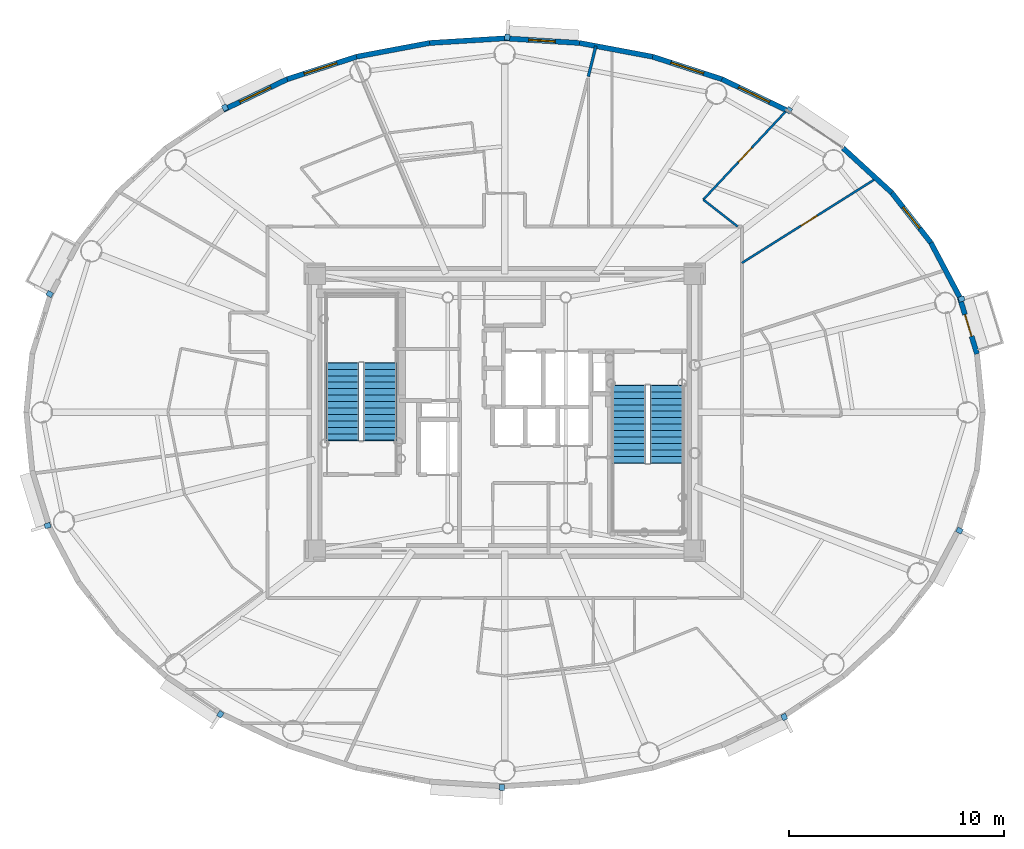
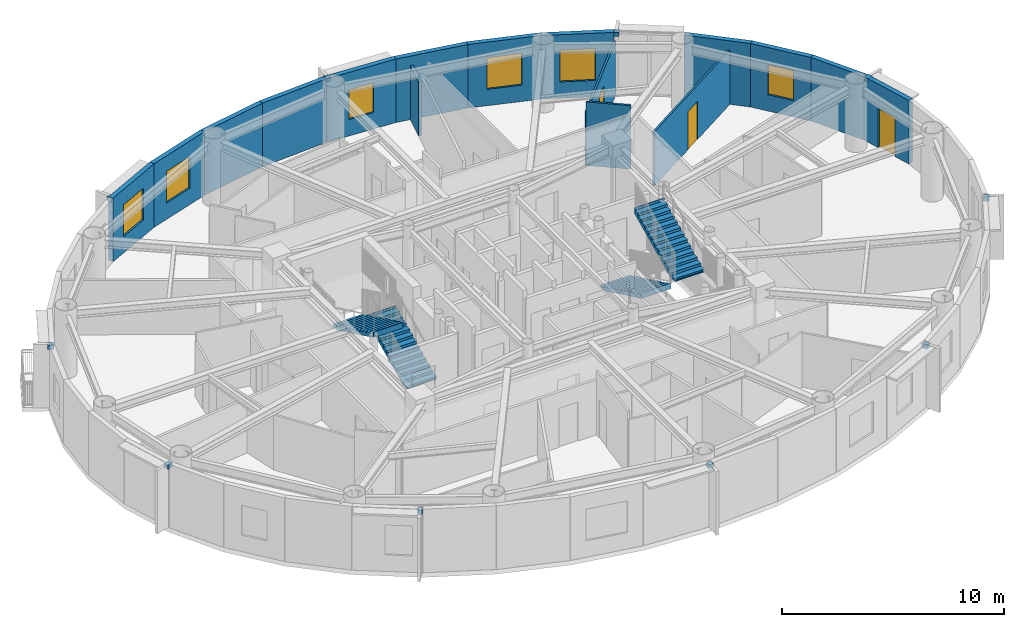
# One storey, part 9 of 17: 16 walls, 10 discrete accessories, 6 windows, 4 stair flights, 3 doors, 9 openings, 2 elements without a shape of their own.
"""IFC4 building model written with IfcOpenShell, lengths in metres."""

import ifcopenshell
import ifcopenshell.guid

model = None  # the IFC model being written
_history = None  # IfcOwnerHistory: only IFC2X3 demands one
_inside = {}  # id of a spatial element -> (the spatial element, [elements in it])
_under = {}  # id of a project, library or spatial element -> (it, [spatial elements below it])
_declared = {}  # id of a project -> (the project, [libraries it declares])
_typed = {}  # id of a type object -> (the type object, [elements of that type])
_made_of = {}  # id of a material, layer set ... -> (it, [elements and type objects made of it])


def new_model(schema):
    """Start an empty IFC model of exactly this schema.

    Asked for "IFC4X3", IfcOpenShell would pick the latest addendum, in which some entities
    have other attributes; the version numbers below select the first issue.
    IFC2X3 requires an IfcOwnerHistory on every rooted entity: one is made here for all.
    """
    global model, _history
    if schema == "IFC4X3":
        model = ifcopenshell.file(schema_version=(4, 3, 0, 0))
    else:
        model = ifcopenshell.file(schema=schema)
    _inside.clear()
    _under.clear()
    _declared.clear()
    _typed.clear()
    _made_of.clear()
    _history = None
    if model.schema == "IFC2X3":
        org = make("IfcOrganization", Name="unknown")
        user = make(
            "IfcPersonAndOrganization",
            ThePerson=make("IfcPerson", FamilyName="unknown"),
            TheOrganization=org,
        )
        app = make(
            "IfcApplication",
            ApplicationDeveloper=org,
            Version="unknown",
            ApplicationFullName="unknown",
            ApplicationIdentifier="unknown",
        )
        _history = make(
            "IfcOwnerHistory",
            OwningUser=user,
            OwningApplication=app,
            ChangeAction="ADDED",
            CreationDate=0,
        )
    return model


def make(cls, **values):
    """One entity of the class cls with the attributes given. An attribute that is None is left unset."""
    return model.create_entity(
        cls, **{name: value for name, value in values.items() if value is not None}
    )


def rooted(cls, **values):
    """An entity with a GlobalId (a new one), such as an element, a storey or a relation."""
    return make(cls, GlobalId=ifcopenshell.guid.new(), OwnerHistory=_history, **values)


def si_unit(unit_type, name, prefix=None):
    """IfcSIUnit, for example si_unit("LENGTHUNIT", "METRE", prefix="MILLI")."""
    return make("IfcSIUnit", UnitType=unit_type, Prefix=prefix, Name=name)


def assignment(units):
    """IfcUnitAssignment: the units of a project."""
    return None if units is None else make("IfcUnitAssignment", Units=units)


def point(xyz):
    """IfcCartesianPoint."""
    return None if xyz is None else make("IfcCartesianPoint", Coordinates=xyz)


def direction(xyz):
    """IfcDirection."""
    return None if xyz is None else make("IfcDirection", DirectionRatios=xyz)


def frame(location, z_axis=None, x_axis=None):
    """IfcAxis2Placement3D, a coordinate frame: its origin and axes. An axis left out is left unset."""
    return make(
        "IfcAxis2Placement3D",
        Location=point(location),
        Axis=direction(z_axis),
        RefDirection=direction(x_axis),
    )


def frame_2d(location, x_axis=None):
    """IfcAxis2Placement2D, a coordinate frame in the plane: its origin and x axis."""
    return make(
        "IfcAxis2Placement2D", Location=point(location), RefDirection=direction(x_axis)
    )


def origin():
    """The frame at (0, 0, 0) with its axes left unset."""
    return frame((0.0, 0.0, 0.0))


def origin_2d():
    """The frame at (0, 0) in the plane with its x axis left unset."""
    return frame_2d((0.0, 0.0))


def place(relative_to, where):
    """IfcLocalPlacement: puts the frame where relative to a parent placement (None: the world)."""
    return make(
        "IfcLocalPlacement", PlacementRelTo=relative_to, RelativePlacement=where
    )


def context(
    kind, dimensions, precision=None, world=None, true_north=None, identifier=None
):
    """IfcGeometricRepresentationContext, for example the 3D "Model" context."""
    return make(
        "IfcGeometricRepresentationContext",
        ContextIdentifier=identifier,
        ContextType=kind,
        CoordinateSpaceDimension=dimensions,
        Precision=precision,
        WorldCoordinateSystem=world,
        TrueNorth=true_north,
    )


def subcontext(parent, identifier, kind, view, scale=None):
    """IfcGeometricRepresentationSubContext, for example "Body" below "Model"."""
    return make(
        "IfcGeometricRepresentationSubContext",
        ContextIdentifier=identifier,
        ContextType=kind,
        ParentContext=parent,
        TargetScale=scale,
        TargetView=view,
    )


def project(units=None, contexts=None):
    """IfcProject with its units and contexts."""
    return rooted(
        "IfcProject",
        Name="project",
        RepresentationContexts=contexts,
        UnitsInContext=assignment(units),
    )


def spatial(cls, under=None, at=None, **own):
    """A site, building, storey or space (cls), placed at a placement, below another one or the project."""
    s = rooted(cls, ObjectPlacement=at, **own)
    if under is not None:
        _under.setdefault(under.id(), (under, []))[1].append(s)
    return s


def polyline(points):
    """IfcPolyline through the points."""
    return make("IfcPolyline", Points=[point(p) for p in points])


def profile(cls, at=None, kind="AREA", **sizes):
    """A parametric profile (cls). Its sizes go by their IFC names, for example OverallWidth=200.0."""
    return make(cls, ProfileType=kind, Position=at, **sizes)


def rectangle(**sizes):
    """IfcRectangleProfileDef."""
    return profile("IfcRectangleProfileDef", **sizes)


def outline(outer, holes=None, kind="AREA"):
    """IfcArbitraryClosedProfileDef: a profile drawn as a closed curve; with holes, ...WithVoids."""
    if holes is None:
        return make("IfcArbitraryClosedProfileDef", ProfileType=kind, OuterCurve=outer)
    return make(
        "IfcArbitraryProfileDefWithVoids",
        ProfileType=kind,
        OuterCurve=outer,
        InnerCurves=holes,
    )


def extrude(swept, where, along, depth):
    """IfcExtrudedAreaSolid: the profile swept, set in the frame where, extruded along a direction by depth."""
    return make(
        "IfcExtrudedAreaSolid",
        SweptArea=swept,
        Position=where,
        ExtrudedDirection=direction(along),
        Depth=depth,
    )


def shape(context_of_items, identifier, shape_type, items):
    """IfcShapeRepresentation: the items that make up one representation, for example the "Body"."""
    return make(
        "IfcShapeRepresentation",
        ContextOfItems=context_of_items,
        RepresentationIdentifier=identifier,
        RepresentationType=shape_type,
        Items=items,
    )


def source(mapping_origin, context_of_items, identifier, shape_type, items):
    """IfcRepresentationMap: a shape defined once, which mapped items show again and again."""
    return make(
        "IfcRepresentationMap",
        MappingOrigin=mapping_origin,
        MappedRepresentation=shape(context_of_items, identifier, shape_type, items),
    )


def transform(
    local_origin,
    x_axis=None,
    y_axis=None,
    z_axis=None,
    scale=None,
    scale2=None,
    scale3=None,
    uniform=True,
):
    """IfcCartesianTransformationOperator3D, or its non-uniform kind. x_axis, y_axis, z_axis: its Axis1, 2, 3."""
    if uniform:
        return make(
            "IfcCartesianTransformationOperator3D",
            Axis1=direction(x_axis),
            Axis2=direction(y_axis),
            LocalOrigin=point(local_origin),
            Scale=scale,
            Axis3=direction(z_axis),
        )
    return make(
        "IfcCartesianTransformationOperator3DnonUniform",
        Axis1=direction(x_axis),
        Axis2=direction(y_axis),
        LocalOrigin=point(local_origin),
        Scale=scale,
        Axis3=direction(z_axis),
        Scale2=scale2,
        Scale3=scale3,
    )


def mapped(mapping_source, mapping_target):
    """IfcMappedItem: shows the shape of a source again, moved by a transform."""
    return make(
        "IfcMappedItem", MappingSource=mapping_source, MappingTarget=mapping_target
    )


def material(Name=None, Category=None):
    """IfcMaterial."""
    return make("IfcMaterial", Name=Name, Category=Category)


def layer(
    of_material, thickness, ventilated=None, Name=None, Category=None, Priority=None
):
    """IfcMaterialLayer: one layer of a wall or slab, of a material (None: an air gap)."""
    return make(
        "IfcMaterialLayer",
        Material=of_material,
        LayerThickness=thickness,
        IsVentilated=ventilated,
        Name=Name,
        Category=Category,
        Priority=Priority,
    )


def layer_set(layers, Name=None):
    """IfcMaterialLayerSet."""
    return make("IfcMaterialLayerSet", MaterialLayers=layers, LayerSetName=Name)


def made_of(thing, what):
    """Note that an element or type object is made of a material, layer set ...; save() writes the relation."""
    if what is not None:
        _made_of.setdefault(what.id(), (what, []))[1].append(thing)
    return thing


def type_object(cls, material=None, **own):
    """A type object (cls), such as IfcWallType, which elements share."""
    return made_of(rooted(cls, **own), material)


def element(
    cls,
    number,
    at=None,
    inside=None,
    cuts=None,
    type_object=None,
    material=None,
    context=None,
    identifier="Body",
    shape_type=None,
    held_by="IfcProductDefinitionShape",
    body=None,
    shapes=None,
    **own,
):
    """One element of the class cls, such as IfcWall. Its Tag is "e" and its number.

    at: its placement. inside: the storey or other place that contains it. cuts: it is an
    opening in that element (IfcRelVoidsElement). A single representation is given by context,
    identifier, shape_type and body (its items); several are given by shapes. held_by: the class
    of the entity that holds the representations. save() writes the other relations.
    """
    e = rooted(cls, Tag="e%d" % number, ObjectPlacement=at, **own)
    if body is not None:
        shapes = [shape(context, identifier, shape_type, body)]
    if shapes is not None:
        e.Representation = make(held_by, Representations=shapes)
    if inside is not None:
        _inside.setdefault(inside.id(), (inside, []))[1].append(e)
    if cuts is not None:
        rooted(
            "IfcRelVoidsElement", RelatingBuildingElement=cuts, RelatedOpeningElement=e
        )
    if type_object is not None:
        _typed.setdefault(type_object.id(), (type_object, []))[1].append(e)
    return made_of(e, material)


def fill(opening, filler):
    """IfcRelFillsElement: the door or window that sits in an opening."""
    return rooted(
        "IfcRelFillsElement",
        RelatingOpeningElement=opening,
        RelatedBuildingElement=filler,
    )


def aggregate(whole, parts):
    """IfcRelAggregates: a whole, such as a stair, and the parts it consists of."""
    return rooted("IfcRelAggregates", RelatingObject=whole, RelatedObjects=parts)


def save(model, path):
    """Write the relations noted so far, then the file.

    IfcRelAggregates (storeys below a building ...), IfcRelContainedInSpatialStructure (elements
    in a storey), IfcRelDefinesByType, IfcRelAssociatesMaterial and IfcRelDeclares: one each for
    every whole, place, type object, material and project.
    """
    for whole, parts in _under.values():
        aggregate(whole, parts)
    for where, things in _inside.values():
        rooted(
            "IfcRelContainedInSpatialStructure",
            RelatedElements=things,
            RelatingStructure=where,
        )
    for kind, things in _typed.values():
        rooted("IfcRelDefinesByType", RelatedObjects=things, RelatingType=kind)
    for what, things in _made_of.values():
        rooted("IfcRelAssociatesMaterial", RelatedObjects=things, RelatingMaterial=what)
    for by, libraries in _declared.values():
        rooted("IfcRelDeclares", RelatingContext=by, RelatedDefinitions=libraries)
    model.write(path)


model = new_model("IFC4")

# Units and contexts
model_context = context("Model", 3, precision=1e-05, world=origin(), true_north=direction((0.0, 1.0)))
body_context = subcontext(model_context, "Body", "Model", "MODEL_VIEW")
ifc_project = project(units=[si_unit("LENGTHUNIT", "METRE"), si_unit("AREAUNIT", "SQUARE_METRE"), si_unit("VOLUMEUNIT", "CUBIC_METRE"), si_unit("PLANEANGLEUNIT", "RADIAN"), si_unit("MASSUNIT", "GRAM", prefix="KILO")], contexts=[model_context])

# Site, building, storey
site_placement = place(None, origin())
site = spatial("IfcSite", under=ifc_project, at=site_placement, CompositionType="ELEMENT")
building_placement = place(site_placement, origin())
building = spatial("IfcBuilding", under=site, at=building_placement, Name="Linh Dai School and Residence Tower", CompositionType="ELEMENT")
storey_placement = place(building_placement, frame((0.0, 0.0, 303.0)))
storey = spatial("IfcBuildingStorey", under=building, at=storey_placement, Name="L75", CompositionType="ELEMENT", Elevation=303.0)

# Wall, opening, door
ifc_material_1 = material(Name="Precast Concrete B45 (C35/45)", Category="concrete")
ifc_layer_1 = layer(ifc_material_1, 0.239990234375)
ifc_layer_set_1 = layer_set([ifc_layer_1], Name="Precast Concrete B45 (C35/45)")
wall_type_1 = type_object("IfcWallType", Name="EW-TC-240", PredefinedType="SOLIDWALL", material=ifc_layer_set_1)
wall_1_placement = place(storey_placement, frame((57.188232421875, 32.372314453125, 0.0), z_axis=(0.0, 0.0, 1.0), x_axis=(0.2931213403, -0.956075248012, 0.0)))
wall_1 = element("IfcWall", 1, at=wall_1_placement, inside=storey, type_object=wall_type_1, Name="L75 Terracotta Exterior Wall 02", PredefinedType="SOLIDWALL", context=body_context, shape_type="SweptSolid", body=[
    extrude(rectangle(XDim=2.775146484375, YDim=0.239990234375, at=frame_2d((1.3876953125, 0.0))), origin(), (0.0, 0.0, 1.0), 3.5),
])
opening_1_placement = place(wall_1_placement, frame((0.862548828125, 0.0, 0.0)))
opening_1 = element("IfcOpeningElement", 2, at=opening_1_placement, cuts=wall_1, Name="Opening BD1", PredefinedType="OPENING", context=body_context, shape_type="SweptSolid", body=[
    extrude(rectangle(XDim=1.050048828125, YDim=2.14990234375, at=origin_2d()), frame((0.52490234375, 0.1298828125, 1.074951171875), z_axis=(0.0, -1.0, 0.0), x_axis=(1.0, 0.0, 0.0)), (0.0, 0.0, 1.0), 0.260009765625),
])
ifc_material_2 = material(Name="Double-Glazed Balcony Door", Category="glass")
door_type_1 = type_object("IfcDoorType", Name="DR-BALC-1050x2150", OperationType="NOTDEFINED", PredefinedType="DOOR", material=ifc_material_2)
shared_shape_1 = source(origin(), body_context, "Body", "SweptSolid", [
    extrude(rectangle(XDim=1.050048828125, YDim=2.14990234375, at=origin_2d()), frame((0.52490234375, 0.02490234375, 1.074951171875), z_axis=(0.0, -1.0, 0.0), x_axis=(1.0, 0.0, 0.0)), (0.0, 0.0, 1.0), 0.050048828125),
])
door_1_placement = place(opening_1_placement, origin())
door_1 = element("IfcDoor", 3, at=door_1_placement, inside=storey, type_object=door_type_1, Name="L75 Glazed Balcony Door 02", OperationType="SINGLE_SWING_LEFT", OverallHeight=2.14990234375, OverallWidth=1.050048828125, PredefinedType="DOOR", context=body_context, shape_type="MappedRepresentation", body=[
    mapped(shared_shape_1, transform((0.0, 0.0, 0.0), x_axis=(1.0, 0.0, 0.0), y_axis=(0.0, 1.0, 0.0), z_axis=(0.0, 0.0, 1.0), scale=1.0)),
])
fill(opening_1, door_1)

# Wall
wall_2_placement = place(storey_placement, frame((55.853759765625, 34.894775390625, 0.0), z_axis=(0.0, 0.0, 1.0), x_axis=(0.467628269026, -0.883925224218, 0.0)))
element("IfcWall", 4, at=wall_2_placement, inside=storey, type_object=wall_type_1, Name="L75 Terracotta Exterior Wall 03", PredefinedType="SOLIDWALL", context=body_context, shape_type="SweptSolid", body=[
    extrude(rectangle(XDim=2.853759765625, YDim=0.239990234375, at=frame_2d((1.4267578125, 0.0))), origin(), (0.0, 0.0, 1.0), 3.5),
])

# Wall, opening, window
wall_3_placement = place(storey_placement, frame((54.0302734375, 37.224609375, 0.0), z_axis=(0.0, 0.0, 1.0), x_axis=(0.616337186556, -0.787482363275, 0.0)))
wall_3 = element("IfcWall", 5, at=wall_3_placement, inside=storey, type_object=wall_type_1, Name="L75 Terracotta Exterior Wall 04", PredefinedType="SOLIDWALL", context=body_context, shape_type="SweptSolid", body=[
    extrude(rectangle(XDim=2.95849609375, YDim=0.239990234375, at=frame_2d((1.479248046875, 0.0))), origin(), (0.0, 0.0, 1.0), 3.5),
])
opening_2_placement = place(wall_3_placement, frame((0.85400390625, 0.0, 0.89990234375)))
opening_2 = element("IfcOpeningElement", 6, at=opening_2_placement, cuts=wall_3, Name="Opening W3", PredefinedType="OPENING", context=body_context, shape_type="SweptSolid", body=[
    extrude(rectangle(XDim=1.25, YDim=1.64990234375, at=origin_2d()), frame((0.625, 0.1298828125, 0.824951171875), z_axis=(0.0, -1.0, 0.0), x_axis=(1.0, 0.0, 0.0)), (0.0, 0.0, 1.0), 0.260009765625),
])
ifc_material_3 = material(Name="Double Low-E Insulated Glazing", Category="glass")
window_type_1 = type_object("IfcWindowType", Name="WN-RES-1250x1650", PartitioningType="SINGLE_PANEL", PredefinedType="WINDOW", material=ifc_material_3)
shared_shape_2 = source(origin(), body_context, "Body", "SweptSolid", [
    extrude(rectangle(XDim=1.25, YDim=1.64990234375, at=origin_2d()), frame((0.625, 0.030029296875, 0.824951171875), z_axis=(0.0, -1.0, 0.0), x_axis=(1.0, 0.0, 0.0)), (0.0, 0.0, 1.0), 0.06005859375),
])
window_1_placement = place(opening_2_placement, origin())
window_1 = element("IfcWindow", 7, at=window_1_placement, inside=storey, type_object=window_type_1, Name="L75 Exterior Window 04.1", OverallHeight=1.64990234375, OverallWidth=1.25, PartitioningType="SINGLE_PANEL", PredefinedType="WINDOW", context=body_context, shape_type="MappedRepresentation", body=[
    mapped(shared_shape_2, transform((0.0, 0.0, 0.0), x_axis=(1.0, 0.0, 0.0), y_axis=(0.0, 1.0, 0.0), z_axis=(0.0, 0.0, 1.0), scale=1.0)),
])
fill(opening_2, window_1)

# Wall
wall_4_placement = place(storey_placement, frame((51.76220703125, 39.30419921875, 0.0), z_axis=(0.0, 0.0, 1.0), x_axis=(0.737068506972, -0.675818034703, 0.0)))
element("IfcWall", 8, at=wall_4_placement, inside=storey, type_object=wall_type_1, Name="L75 Terracotta Exterior Wall 05", PredefinedType="SOLIDWALL", context=body_context, shape_type="SweptSolid", body=[
    extrude(rectangle(XDim=3.0771484375, YDim=0.239990234375, at=frame_2d((1.53857421875, 0.0))), origin(), (0.0, 0.0, 1.0), 3.5),
])

# Wall, opening, window
wall_5_placement = place(storey_placement, frame((46.123046875, 42.51220703125, 0.0), z_axis=(0.0, 0.0, 1.0), x_axis=(0.901573741254, -0.43262546051, 0.0)))
wall_5 = element("IfcWall", 9, at=wall_5_placement, inside=storey, type_object=wall_type_1, Name="L75 Terracotta Exterior Wall 07", PredefinedType="SOLIDWALL", context=body_context, shape_type="SweptSolid", body=[
    extrude(rectangle(XDim=3.306884765625, YDim=0.239990234375, at=frame_2d((1.6533203125, 0.0))), origin(), (0.0, 0.0, 1.0), 3.5),
])
opening_3_placement = place(wall_5_placement, frame((0.8583984375, 0.0, 0.89990234375)))
opening_3 = element("IfcOpeningElement", 10, at=opening_3_placement, cuts=wall_5, Name="Opening W2", PredefinedType="OPENING", context=body_context, shape_type="SweptSolid", body=[
    extrude(rectangle(XDim=1.60009765625, YDim=1.75, at=origin_2d()), frame((0.800048828125, 0.1298828125, 0.875), z_axis=(0.0, -1.0, 0.0), x_axis=(1.0, 0.0, 0.0)), (0.0, 0.0, 1.0), 0.260009765625),
])
window_type_2 = type_object("IfcWindowType", Name="WN-RES-1600x1750", PartitioningType="DOUBLE_PANEL_VERTICAL", PredefinedType="WINDOW", material=ifc_material_3)
shared_shape_3 = source(origin(), body_context, "Body", "SweptSolid", [
    extrude(rectangle(XDim=1.60009765625, YDim=1.75, at=origin_2d()), frame((0.800048828125, 0.030029296875, 0.875), z_axis=(0.0, -1.0, 0.0), x_axis=(1.0, 0.0, 0.0)), (0.0, 0.0, 1.0), 0.06005859375),
])
window_2_placement = place(opening_3_placement, origin())
window_2 = element("IfcWindow", 11, at=window_2_placement, inside=storey, type_object=window_type_2, Name="L75 Exterior Window 07.1", OverallHeight=1.75, OverallWidth=1.60009765625, PartitioningType="DOUBLE_PANEL_VERTICAL", PredefinedType="WINDOW", context=body_context, shape_type="MappedRepresentation", body=[
    mapped(shared_shape_3, transform((0.0, 0.0, 0.0), x_axis=(1.0, 0.0, 0.0), y_axis=(0.0, 1.0, 0.0), z_axis=(0.0, 0.0, 1.0), scale=1.0)),
])
fill(opening_3, window_2)

wall_6_placement = place(storey_placement, frame((42.89111328125, 43.560302734375, 0.0), z_axis=(0.0, 0.0, 1.0), x_axis=(0.95123136723, -0.308478339592, 0.0)))
wall_6 = element("IfcWall", 12, at=wall_6_placement, inside=storey, type_object=wall_type_1, Name="L75 Terracotta Exterior Wall 08", PredefinedType="SOLIDWALL", context=body_context, shape_type="SweptSolid", body=[
    extrude(rectangle(XDim=3.397705078125, YDim=0.239990234375, at=frame_2d((1.69873046875, 0.0))), origin(), (0.0, 0.0, 1.0), 3.5),
])
opening_4_placement = place(wall_6_placement, frame((0.898681640625, 0.0, 0.89990234375)))
opening_4 = element("IfcOpeningElement", 13, at=opening_4_placement, cuts=wall_6, Name="Opening W2", PredefinedType="OPENING", context=body_context, shape_type="SweptSolid", body=[
    extrude(rectangle(XDim=1.60009765625, YDim=1.75, at=origin_2d()), frame((0.800048828125, 0.1298828125, 0.875), z_axis=(0.0, -1.0, 0.0), x_axis=(1.0, 0.0, 0.0)), (0.0, 0.0, 1.0), 0.260009765625),
])
window_3_placement = place(opening_4_placement, origin())
window_3 = element("IfcWindow", 14, at=window_3_placement, inside=storey, type_object=window_type_2, Name="L75 Exterior Window 08.1", OverallHeight=1.75, OverallWidth=1.60009765625, PartitioningType="DOUBLE_PANEL_VERTICAL", PredefinedType="WINDOW", context=body_context, shape_type="MappedRepresentation", body=[
    mapped(shared_shape_3, transform((0.0, 0.0, 0.0), x_axis=(1.0, 0.0, 0.0), y_axis=(0.0, 1.0, 0.0), z_axis=(0.0, 0.0, 1.0), scale=1.0)),
])
fill(opening_4, window_3)

# Wall
wall_7_placement = place(storey_placement, frame((39.48876953125, 44.199951171875, 0.0), z_axis=(0.0, 0.0, 1.0), x_axis=(0.982782655757, -0.184765395959, 0.0)))
element("IfcWall", 15, at=wall_7_placement, inside=storey, type_object=wall_type_1, Name="L75 Terracotta Exterior Wall 09", PredefinedType="SOLIDWALL", context=body_context, shape_type="SweptSolid", body=[
    extrude(rectangle(XDim=3.4619140625, YDim=0.239990234375, at=frame_2d((1.73095703125, 0.0))), origin(), (0.0, 0.0, 1.0), 3.5),
])

# Wall, opening, window
wall_8_placement = place(storey_placement, frame((36.0, 44.4150390625, 0.0), z_axis=(0.0, 0.0, 1.0), x_axis=(0.998104946479, -0.061534671648, 0.0)))
wall_8 = element("IfcWall", 16, at=wall_8_placement, inside=storey, type_object=wall_type_1, Name="L75 Terracotta Exterior Wall 10", PredefinedType="SOLIDWALL", context=body_context, shape_type="SweptSolid", body=[
    extrude(rectangle(XDim=3.495361328125, YDim=0.239990234375, at=frame_2d((1.74755859375, 0.0))), origin(), (0.0, 0.0, 1.0), 3.5),
])
opening_5_placement = place(wall_8_placement, frame((1.122802734375, 0.0, 0.89990234375)))
opening_5 = element("IfcOpeningElement", 17, at=opening_5_placement, cuts=wall_8, Name="Opening W3", PredefinedType="OPENING", context=body_context, shape_type="SweptSolid", body=[
    extrude(rectangle(XDim=1.25, YDim=1.64990234375, at=origin_2d()), frame((0.625, 0.1298828125, 0.824951171875), z_axis=(0.0, -1.0, 0.0), x_axis=(1.0, 0.0, 0.0)), (0.0, 0.0, 1.0), 0.260009765625),
])
window_4_placement = place(opening_5_placement, origin())
window_4 = element("IfcWindow", 18, at=window_4_placement, inside=storey, type_object=window_type_1, Name="L75 Dwelling Window U7501-LIV", OverallHeight=1.64990234375, OverallWidth=1.25, PartitioningType="SINGLE_PANEL", PredefinedType="WINDOW", context=body_context, shape_type="MappedRepresentation", body=[
    mapped(shared_shape_2, transform((0.0, 0.0, 0.0), x_axis=(1.0, 0.0, 0.0), y_axis=(0.0, 1.0, 0.0), z_axis=(0.0, 0.0, 1.0), scale=1.0)),
])
fill(opening_5, window_4)

# Walls
wall_9_placement = place(storey_placement, frame((32.51123046875, 44.199951171875, 0.0), z_axis=(0.0, 0.0, 1.0), x_axis=(0.998104946479, 0.061534671648, 0.0)))
element("IfcWall", 19, at=wall_9_placement, inside=storey, type_object=wall_type_1, Name="L75 Terracotta Exterior Wall 11", PredefinedType="SOLIDWALL", context=body_context, shape_type="SweptSolid", body=[
    extrude(rectangle(XDim=3.495361328125, YDim=0.239990234375, at=frame_2d((1.74755859375, 0.0))), origin(), (0.0, 0.0, 1.0), 3.5),
])
wall_10_placement = place(storey_placement, frame((29.10888671875, 43.560302734375, 0.0), z_axis=(0.0, 0.0, 1.0), x_axis=(0.982782655757, 0.184765395959, 0.0)))
element("IfcWall", 20, at=wall_10_placement, inside=storey, type_object=wall_type_1, Name="L75 Terracotta Exterior Wall 12", PredefinedType="SOLIDWALL", context=body_context, shape_type="SweptSolid", body=[
    extrude(rectangle(XDim=3.4619140625, YDim=0.239990234375, at=frame_2d((1.73095703125, 0.0))), origin(), (0.0, 0.0, 1.0), 3.5),
])

# Wall, opening, window
wall_11_placement = place(storey_placement, frame((25.876953125, 42.51220703125, 0.0), z_axis=(0.0, 0.0, 1.0), x_axis=(0.95123136723, 0.308478339592, 0.0)))
wall_11 = element("IfcWall", 21, at=wall_11_placement, inside=storey, type_object=wall_type_1, Name="L75 Terracotta Exterior Wall 13", PredefinedType="SOLIDWALL", context=body_context, shape_type="SweptSolid", body=[
    extrude(rectangle(XDim=3.397705078125, YDim=0.239990234375, at=frame_2d((1.69873046875, 0.0))), origin(), (0.0, 0.0, 1.0), 3.5),
])
opening_6_placement = place(wall_11_placement, frame((0.82421875, 0.0, 0.89990234375)))
opening_6 = element("IfcOpeningElement", 22, at=opening_6_placement, cuts=wall_11, Name="Opening W2", PredefinedType="OPENING", context=body_context, shape_type="SweptSolid", body=[
    extrude(rectangle(XDim=1.60009765625, YDim=1.75, at=origin_2d()), frame((0.800048828125, 0.1298828125, 0.875), z_axis=(0.0, -1.0, 0.0), x_axis=(1.0, 0.0, 0.0)), (0.0, 0.0, 1.0), 0.260009765625),
])
window_5_placement = place(opening_6_placement, origin())
window_5 = element("IfcWindow", 23, at=window_5_placement, inside=storey, type_object=window_type_2, Name="L75 Exterior Window 13.1", OverallHeight=1.75, OverallWidth=1.60009765625, PartitioningType="DOUBLE_PANEL_VERTICAL", PredefinedType="WINDOW", context=body_context, shape_type="MappedRepresentation", body=[
    mapped(shared_shape_3, transform((0.0, 0.0, 0.0), x_axis=(1.0, 0.0, 0.0), y_axis=(0.0, 1.0, 0.0), z_axis=(0.0, 0.0, 1.0), scale=1.0)),
])
fill(opening_6, window_5)

wall_12_placement = place(storey_placement, frame((22.8955078125, 41.08154296875, 0.0), z_axis=(0.0, 0.0, 1.0), x_axis=(0.901573741254, 0.43262546051, 0.0)))
wall_12 = element("IfcWall", 24, at=wall_12_placement, inside=storey, type_object=wall_type_1, Name="L75 Terracotta Exterior Wall 14", PredefinedType="SOLIDWALL", context=body_context, shape_type="SweptSolid", body=[
    extrude(rectangle(XDim=3.306884765625, YDim=0.239990234375, at=frame_2d((1.6533203125, 0.0))), origin(), (0.0, 0.0, 1.0), 3.5),
])
opening_7_placement = place(wall_12_placement, frame((0.853515625, 0.0, 0.89990234375)))
opening_7 = element("IfcOpeningElement", 25, at=opening_7_placement, cuts=wall_12, Name="Opening W2", PredefinedType="OPENING", context=body_context, shape_type="SweptSolid", body=[
    extrude(rectangle(XDim=1.60009765625, YDim=1.75, at=origin_2d()), frame((0.800048828125, 0.1298828125, 0.875), z_axis=(0.0, -1.0, 0.0), x_axis=(1.0, 0.0, 0.0)), (0.0, 0.0, 1.0), 0.260009765625),
])
window_6_placement = place(opening_7_placement, origin())
window_6 = element("IfcWindow", 26, at=window_6_placement, inside=storey, type_object=window_type_2, Name="L75 Exterior Window 14.1", OverallHeight=1.75, OverallWidth=1.60009765625, PartitioningType="DOUBLE_PANEL_VERTICAL", PredefinedType="WINDOW", context=body_context, shape_type="MappedRepresentation", body=[
    mapped(shared_shape_3, transform((0.0, 0.0, 0.0), x_axis=(1.0, 0.0, 0.0), y_axis=(0.0, 1.0, 0.0), z_axis=(0.0, 0.0, 1.0), scale=1.0)),
])
fill(opening_7, window_6)

# Walls
ifc_material_4 = material(Name="Autoclaved Aerated Concrete Blockwork", Category="masonry")
ifc_layer_2 = layer(ifc_material_4, 0.135009765625)
ifc_layer_set_2 = layer_set([ifc_layer_2], Name="Autoclaved Aerated Concrete Blockwork")
wall_type_2 = type_object("IfcWallType", Name="IW-CORR-135-EI90", PredefinedType="PARTITIONING", material=ifc_layer_set_2)
wall_13_placement = place(storey_placement, frame((39.89990234375, 42.641845703125, 0.0), z_axis=(0.0, 0.0, 1.0), x_axis=(0.241985841386, 0.970279780563, 0.0)))
element("IfcWall", 27, at=wall_13_placement, inside=storey, type_object=wall_type_2, Name="L75 Interior Partition Wall 071", PredefinedType="PARTITIONING", context=body_context, shape_type="SweptSolid", body=[
    extrude(rectangle(XDim=1.462890625, YDim=0.135009765625, at=frame_2d((0.7314453125, 0.0))), origin(), (0.0, 0.0, 1.0), 2.985107421875),
])
ifc_material_5 = material(Name="Gypsum Plasterboard Acoustic Stud Partition", Category="masonry")
ifc_layer_3 = layer(ifc_material_5, 0.10009765625)
ifc_layer_set_3 = layer_set([ifc_layer_3], Name="Gypsum Plasterboard Acoustic Stud Partition")
wall_type_3 = type_object("IfcWallType", Name="IW-UNIT-100", PredefinedType="PARTITIONING", material=ifc_layer_set_3)
wall_14_placement = place(storey_placement, frame((45.254150390625, 36.903564453125, 0.0), z_axis=(0.0, 0.0, 1.0), x_axis=(0.787350433025, -0.616505714179, 0.0)))
element("IfcWall", 28, at=wall_14_placement, inside=storey, type_object=wall_type_3, Name="L75 Interior Partition Wall 081", PredefinedType="PARTITIONING", context=body_context, shape_type="SweptSolid", body=[
    extrude(rectangle(XDim=2.033447265625, YDim=0.10009765625, at=frame_2d((1.0166015625, 0.0))), origin(), (0.0, 0.0, 1.0), 3.5),
])

# Wall, opening, door
wall_15_placement = place(storey_placement, frame((45.254150390625, 36.903564453125, 0.0), z_axis=(0.0, 0.0, 1.0), x_axis=(0.682727638106, 0.73067295842, 0.0)))
wall_15 = element("IfcWall", 29, at=wall_15_placement, inside=storey, type_object=wall_type_3, Name="L75 Interior Partition Wall 082", PredefinedType="PARTITIONING", context=body_context, shape_type="SweptSolid", body=[
    extrude(rectangle(XDim=5.69287109375, YDim=0.10009765625, at=frame_2d((2.846435546875, 0.0))), origin(), (0.0, 0.0, 1.0), 2.985107421875),
])
opening_8_placement = place(wall_15_placement, frame((2.396484375, 0.0, 0.0)))
opening_8 = element("IfcOpeningElement", 30, at=opening_8_placement, cuts=wall_15, Name="Opening D05", PredefinedType="OPENING", context=body_context, shape_type="SweptSolid", body=[
    extrude(rectangle(XDim=0.89990234375, YDim=2.10009765625, at=origin_2d()), frame((0.449951171875, 0.06005859375, 1.050048828125), z_axis=(0.0, -1.0, 0.0), x_axis=(1.0, 0.0, 0.0)), (0.0, 0.0, 1.0), 0.1201171875),
])
ifc_material_6 = material(Name="Engineered Timber Internal Door", Category="wood")
door_type_2 = type_object("IfcDoorType", Name="DR-INT-900x2100", OperationType="NOTDEFINED", PredefinedType="DOOR", material=ifc_material_6)
shared_shape_4 = source(origin(), body_context, "Body", "SweptSolid", [
    extrude(rectangle(XDim=0.89990234375, YDim=2.10009765625, at=origin_2d()), frame((0.449951171875, 0.02490234375, 1.050048828125), z_axis=(0.0, -1.0, 0.0), x_axis=(1.0, 0.0, 0.0)), (0.0, 0.0, 1.0), 0.050048828125),
])
door_2_placement = place(opening_8_placement, origin())
door_2 = element("IfcDoor", 31, at=door_2_placement, inside=storey, type_object=door_type_2, Name="L75 Apartment U7508 Study Door", OperationType="SINGLE_SWING_LEFT", OverallHeight=2.10009765625, OverallWidth=0.89990234375, PredefinedType="DOOR", context=body_context, shape_type="MappedRepresentation", body=[
    mapped(shared_shape_4, transform((0.0, 0.0, 0.0), x_axis=(1.0, 0.0, 0.0), y_axis=(0.0, 1.0, 0.0), z_axis=(0.0, 0.0, 1.0), scale=1.0)),
])
fill(opening_8, door_2)

wall_16_placement = place(storey_placement, frame((47.050048828125, 33.9541015625, 0.0), z_axis=(0.0, 0.0, 1.0), x_axis=(0.846339777122, 0.532643390704, 0.0)))
wall_16 = element("IfcWall", 32, at=wall_16_placement, inside=storey, type_object=wall_type_3, Name="L75 Interior Partition Wall 087", PredefinedType="PARTITIONING", context=body_context, shape_type="SweptSolid", body=[
    extrude(rectangle(XDim=7.39501953125, YDim=0.10009765625, at=frame_2d((3.697509765625, 0.0))), origin(), (0.0, 0.0, 1.0), 2.985107421875),
])
opening_9_placement = place(wall_16_placement, frame((3.24755859375, 0.0, 0.0)))
opening_9 = element("IfcOpeningElement", 33, at=opening_9_placement, cuts=wall_16, Name="Opening D05", PredefinedType="OPENING", context=body_context, shape_type="SweptSolid", body=[
    extrude(rectangle(XDim=0.89990234375, YDim=2.10009765625, at=origin_2d()), frame((0.449951171875, 0.06005859375, 1.050048828125), z_axis=(0.0, -1.0, 0.0), x_axis=(1.0, 0.0, 0.0)), (0.0, 0.0, 1.0), 0.1201171875),
])
door_3_placement = place(opening_9_placement, origin())
door_3 = element("IfcDoor", 34, at=door_3_placement, inside=storey, type_object=door_type_2, Name="L75 Apartment U7508 Principal Bedroom 1 Door", OperationType="SINGLE_SWING_LEFT", OverallHeight=2.10009765625, OverallWidth=0.89990234375, PredefinedType="DOOR", context=body_context, shape_type="MappedRepresentation", body=[
    mapped(shared_shape_4, transform((0.0, 0.0, 0.0), x_axis=(1.0, 0.0, 0.0), y_axis=(0.0, 1.0, 0.0), z_axis=(0.0, 0.0, 1.0), scale=1.0)),
])
fill(opening_9, door_3)

# Stair, stair flights
ifc_material_7 = material(Name="Concrete B45 (C35/45)", Category="concrete")
stair_type = type_object("IfcStairType", Name="ST-DOG-1550-R1442", PredefinedType="HALF_TURN_STAIR", material=ifc_material_7)
stair_1_placement = place(storey_placement, origin())
stair_1 = element("IfcStair", 35, at=stair_1_placement, inside=storey, type_object=stair_type, Name="L75 Core Smokeproof Exit Stair ST1", PredefinedType="HALF_TURN_STAIR")
stair_flight_type = type_object("IfcStairFlightType", Name="STF-STR-1550-R1442", PredefinedType="STRAIGHT", material=ifc_material_7)
shared_shape_5 = source(origin(), body_context, "Body", "SweptSolid", [
    extrude(outline(polyline([(-0.02490234375, 0.0), (-0.02490234375, 0.06005859375), (0.0, 0.06005859375), (0.0, 0.144287109375), (0.300048828125, 0.144287109375), (0.300048828125, 0.28857421875), (0.60009765625, 0.28857421875), (0.60009765625, 0.4326171875), (0.89990234375, 0.4326171875), (0.89990234375, 0.576904296875), (1.199951171875, 0.576904296875), (1.199951171875, 0.72119140625), (1.5, 0.72119140625), (1.5, 0.865478515625), (1.800048828125, 0.865478515625), (1.800048828125, 1.009521484375), (2.10009765625, 1.009521484375), (2.10009765625, 1.15380859375), (2.39990234375, 1.15380859375), (2.39990234375, 1.298095703125), (2.699951171875, 1.298095703125), (2.699951171875, 1.4423828125), (3.0, 1.4423828125), (3.0, 1.58642578125), (3.300048828125, 1.58642578125), (3.300048828125, 1.730712890625), (3.60009765625, 1.730712890625), (3.60009765625, 1.875), (3.625, 1.875), (3.625, 1.564453125), (3.60009765625, 1.564453125), (0.345947265625, 0.0), (-0.02490234375, 0.0)])), frame((0.0, 0.77490234375, 0.0), z_axis=(0.0, -1.0, 0.0), x_axis=(1.0, 0.0, 0.0)), (0.0, 0.0, 1.0), 1.550048828125),
])
stair_flight_1_placement = place(storey_placement, frame((30.205078125, 25.699951171875, 0.0), z_axis=(0.0, 0.0, 1.0), x_axis=(0.0, 1.0, 0.0)))
stair_flight_1 = element("IfcStairFlight", 36, at=stair_flight_1_placement, type_object=stair_flight_type, Name="ST1 flight 1", NumberOfRisers=13, NumberOfTreads=12, PredefinedType="STRAIGHT", RiserHeight=0.144230769, TreadLength=0.3, context=body_context, shape_type="MappedRepresentation", body=[
    mapped(shared_shape_5, transform((0.0, 0.0, 0.0), x_axis=(1.0, 0.0, 0.0), y_axis=(0.0, 1.0, 0.0), z_axis=(0.0, 0.0, 1.0), scale=1.0)),
])
stair_flight_2_placement = place(storey_placement, frame((28.455078125, 29.300048828125, 1.875), z_axis=(0.0, 0.0, 1.0), x_axis=(0.0, -1.0, 0.0)))
stair_flight_2 = element("IfcStairFlight", 37, at=stair_flight_2_placement, type_object=stair_flight_type, Name="ST1 flight 2", NumberOfRisers=13, NumberOfTreads=12, PredefinedType="STRAIGHT", RiserHeight=0.144230769, TreadLength=0.3, context=body_context, shape_type="MappedRepresentation", body=[
    mapped(shared_shape_5, transform((0.0, 0.0, 0.0), x_axis=(1.0, 0.0, 0.0), y_axis=(0.0, 1.0, 0.0), z_axis=(0.0, 0.0, 1.0), scale=1.0)),
])
aggregate(stair_1, [stair_flight_1, stair_flight_2])

stair_2_placement = place(storey_placement, origin())
stair_2 = element("IfcStair", 38, at=stair_2_placement, inside=storey, type_object=stair_type, Name="L75 Core Smokeproof Exit Stair ST2", PredefinedType="HALF_TURN_STAIR")
stair_flight_3_placement = place(storey_placement, frame((41.794921875, 28.25, 0.0), z_axis=(0.0, 0.0, 1.0), x_axis=(0.0, -1.0, 0.0)))
stair_flight_3 = element("IfcStairFlight", 39, at=stair_flight_3_placement, type_object=stair_flight_type, Name="ST2 flight 1", NumberOfRisers=13, NumberOfTreads=12, PredefinedType="STRAIGHT", RiserHeight=0.144230769, TreadLength=0.3, context=body_context, shape_type="MappedRepresentation", body=[
    mapped(shared_shape_5, transform((0.0, 0.0, 0.0), x_axis=(1.0, 0.0, 0.0), y_axis=(0.0, 1.0, 0.0), z_axis=(0.0, 0.0, 1.0), scale=1.0)),
])
stair_flight_4_placement = place(storey_placement, frame((43.544921875, 24.64990234375, 1.875), z_axis=(0.0, 0.0, 1.0), x_axis=(0.0, 1.0, 0.0)))
stair_flight_4 = element("IfcStairFlight", 40, at=stair_flight_4_placement, type_object=stair_flight_type, Name="ST2 flight 2", NumberOfRisers=13, NumberOfTreads=12, PredefinedType="STRAIGHT", RiserHeight=0.144230769, TreadLength=0.3, context=body_context, shape_type="MappedRepresentation", body=[
    mapped(shared_shape_5, transform((0.0, 0.0, 0.0), x_axis=(1.0, 0.0, 0.0), y_axis=(0.0, 1.0, 0.0), z_axis=(0.0, 0.0, 1.0), scale=1.0)),
])
aggregate(stair_2, [stair_flight_3, stair_flight_4])

# Discrete accessories
ifc_material_8 = material(Name="Structural Steel S355JR", Category="steel")
discrete_accessory_type = type_object("IfcDiscreteAccessoryType", Name="ACC-BRK-S355", PredefinedType="BRACKET", material=ifc_material_8)
shared_shape_6 = source(origin(), body_context, "Body", "SweptSolid", [
    extrude(rectangle(XDim=0.280029296875, YDim=0.239990234375, at=origin_2d()), origin(), (0.0, 0.0, 1.0), 0.219970703125),
])
for number, where, z_axis, x_axis, name in (
    (41, (57.28076171875, 32.275146484375, 3.25), (0.0, 0.0, 1.0), (0.956069236934, 0.293140945944, 0.0), "L75 Facade Frame Anchor Bracket 02"),
    (42, (49.23779296875, 41.064697265625, 3.25), (0.0, 0.0, 1.0), (0.555907926874, 0.831243873264, 0.0), "L75 Facade Frame Anchor Bracket 06"),
    (43, (36.12353515625, 44.467529296875, 3.25), (0.0, 0.0, 1.0), (0.061509965157, 0.998106469364, 0.0), "L75 Facade Frame Anchor Bracket 10"),
    (44, (22.9775390625, 41.1875, 3.25), (0.0, 0.0, 1.0), (-0.432611916456, 0.901580240323, 0.0), "L75 Facade Frame Anchor Bracket 14"),
    (45, (14.81494140625, 32.50634765625, 3.25), (0.0, 0.0, 1.0), (-0.883938310975, 0.467603531201, 0.0), "L75 Facade Frame Anchor Bracket 18"),
    (46, (14.71923828125, 21.724853515625, 3.25), (0.0, 0.0, 1.0), (-0.956069236934, -0.293140945944, 0.0), "L75 Facade Frame Anchor Bracket 22"),
    (47, (22.76220703125, 12.935302734375, 3.25), (0.0, 0.0, 1.0), (-0.555905765624, -0.831245318631, 0.0), "L75 Facade Frame Anchor Bracket 26"),
    (48, (35.87646484375, 9.532470703125, 3.25), (0.0, 0.0, 1.0), (-0.061509965157, -0.998106469364, 0.0), "L75 Facade Frame Anchor Bracket 30"),
    (49, (49.0224609375, 12.8125, 3.25), (0.0, 0.0, 1.0), (0.432611916456, -0.901580240323, 0.0), "L75 Facade Frame Anchor Bracket 34"),
    (50, (57.18505859375, 21.49365234375, 3.25), (0.0, 0.0, 1.0), (0.883938310975, -0.467603531201, 0.0), "L75 Facade Frame Anchor Bracket 38"),
):
    element("IfcDiscreteAccessory", number, at=place(storey_placement, frame(where, z_axis=z_axis, x_axis=x_axis)), inside=storey, type_object=discrete_accessory_type, Name=name, PredefinedType="BRACKET", context=body_context, shape_type="MappedRepresentation", body=[
        mapped(shared_shape_6, transform((0.0, 0.0, 0.0), x_axis=(1.0, 0.0, 0.0), y_axis=(0.0, 1.0, 0.0), z_axis=(0.0, 0.0, 1.0), scale=1.0)),
    ])

save(model, "model.ifc")
